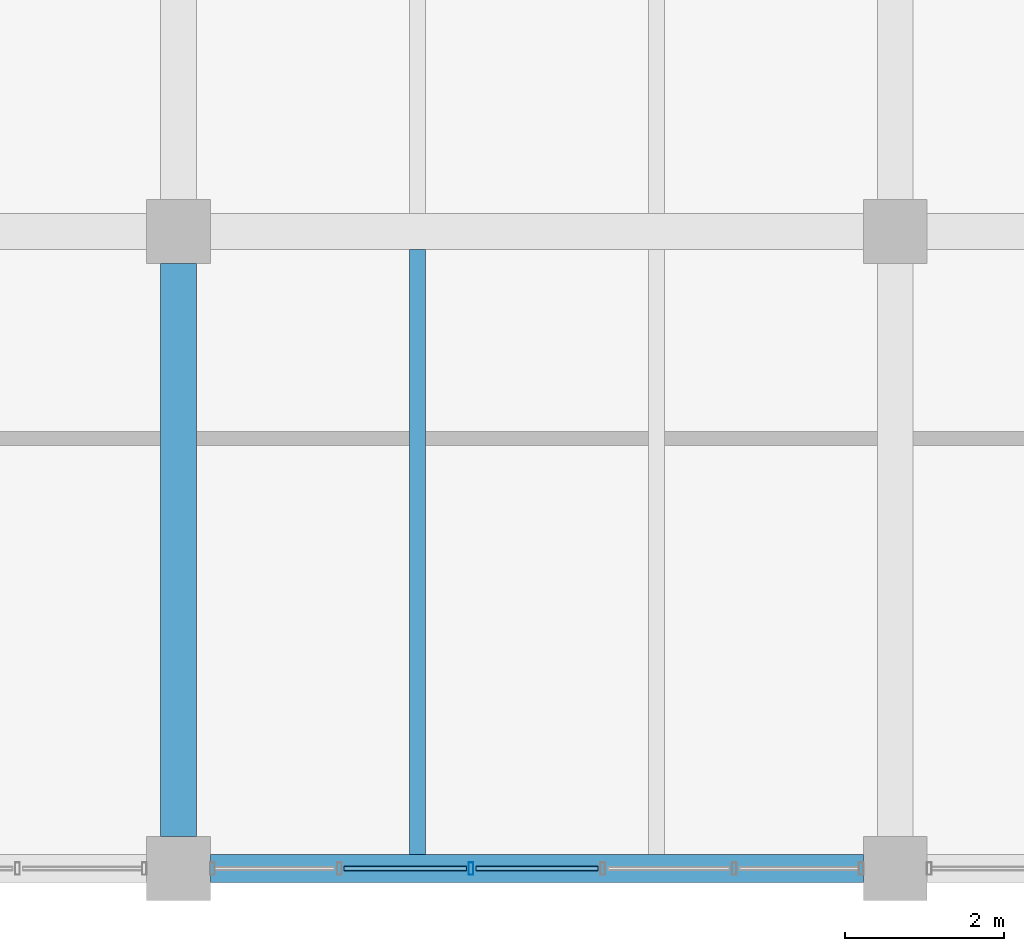
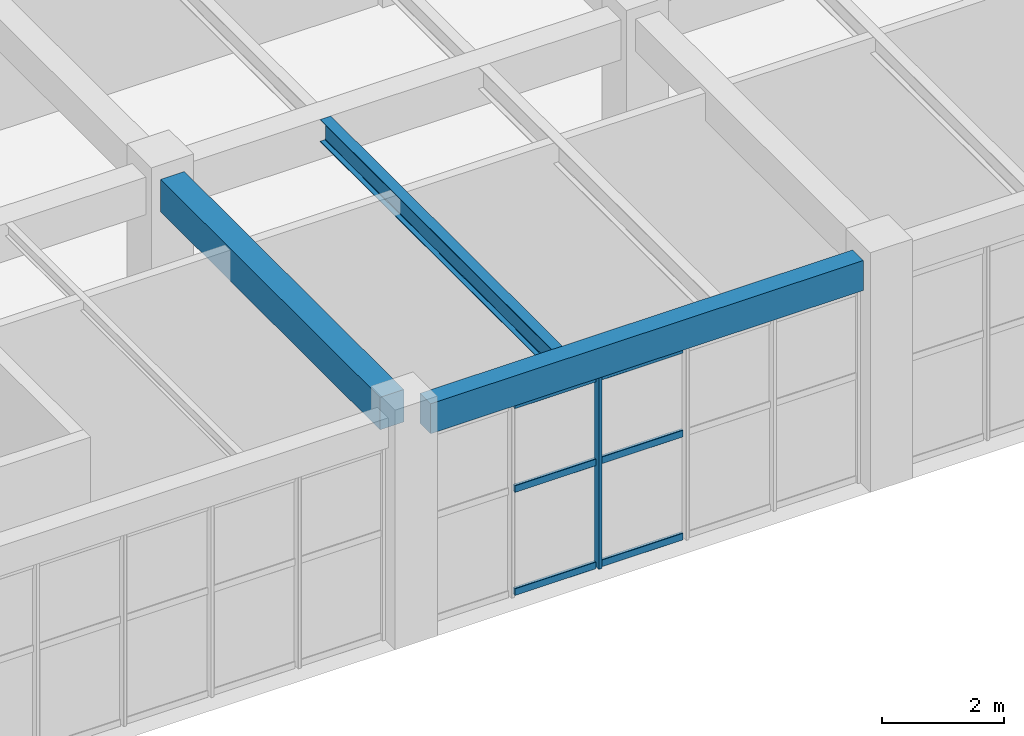
# One storey, part 16 of 178: 7 members, 3 beams, 1 element without a shape of its own.
"""IFC4 building model written with IfcOpenShell, lengths in metres."""

from ifc_helpers import new_model, si_unit, derived_unit, direction, frame, origin, origin_2d, place, context, subcontext, project, spatial, rectangle, hollow_rectangle, i_section, extrude, material, material_profile, profile_set, type_object, element, aggregate, save


model = new_model("IFC4")

# Units and contexts
model_context = context("Model", 3, precision=1e-05, world=origin(), true_north=direction((0.0, 1.0)))
body_context = subcontext(model_context, "Body", "Model", "MODEL_VIEW")
ifc_project = project(units=[si_unit("LENGTHUNIT", "METRE"), si_unit("AREAUNIT", "SQUARE_METRE"), si_unit("VOLUMEUNIT", "CUBIC_METRE"), si_unit("PLANEANGLEUNIT", "RADIAN"), si_unit("MASSUNIT", "GRAM", prefix="KILO"), derived_unit("THERMALTRANSMITTANCEUNIT", [(si_unit("MASSUNIT", "GRAM", prefix="KILO"), 1), (si_unit("TIMEUNIT", "SECOND"), -3), (si_unit("THERMODYNAMICTEMPERATUREUNIT", "KELVIN"), -1)])], contexts=[model_context])

# Site, building, storey
site_placement = place(None, origin())
site = spatial("IfcSite", under=ifc_project, at=site_placement, CompositionType="ELEMENT")
building_placement = place(site_placement, origin())
building = spatial("IfcBuilding", under=site, at=building_placement, Name="Zhenchuan Archway Interchange", CompositionType="ELEMENT")
storey_placement = place(building_placement, frame((0.0, 0.0, 5.39990234375)))
storey = spatial("IfcBuildingStorey", under=building, at=storey_placement, Name="L01", CompositionType="ELEMENT", Elevation=5.39990234375)

# Beam
ifc_material_1 = material(Name="Concrete C40", Category="concrete")
ifc_material_profile_1 = material_profile(ifc_material_1, rectangle(XDim=0.449951171875, YDim=0.64990234375, at=origin_2d()), Name="RC 450x650")
ifc_profile_set_1 = profile_set([ifc_material_profile_1], Name="Concrete C40")
beam_type_1 = type_object("IfcBeamType", Name="BM_RC_450x650", PredefinedType="BEAM", material=ifc_profile_set_1)
beam_1_placement = place(storey_placement, frame((27.0, 0.39990234375, 4.18505859375), z_axis=(0.0, 1.0, 0.0), x_axis=(-1.0, 0.0, 0.0)))
element("IfcBeam", 1, at=beam_1_placement, inside=storey, type_object=beam_type_1, Name="Beam 4:A-B (L01)", PredefinedType="BEAM", context=body_context, shape_type="SweptSolid", body=[
    extrude(rectangle(XDim=0.449951171875, YDim=0.64990234375, at=origin_2d()), origin(), (0.0, 0.0, 1.0), 7.2001953125),
])

# Curtain wall, members
ifc_material_2 = material(Name="Anodised Aluminium", Category="aluminium")
curtain_wall_type = type_object("IfcCurtainWallType", Name="CW_UNIT_4", PredefinedType="NOTDEFINED", material=ifc_material_2)
curtain_wall_placement = place(storey_placement, origin())
curtain_wall = element("IfcCurtainWall", 2, at=curtain_wall_placement, inside=storey, type_object=curtain_wall_type, Name="Unitised curtain wall CW:L01:083", PredefinedType="NOTDEFINED")
ifc_material_profile_2 = material_profile(ifc_material_2, hollow_rectangle(XDim=0.06005859375, YDim=0.159912109375, WallThickness=0.00390625, InnerFilletRadius=0.00390625, OuterFilletRadius=0.008056640625, at=origin_2d()), Name="ALU 160x60x4")
ifc_profile_set_2 = profile_set([ifc_material_profile_2], Name="Anodised Aluminium")
member_type_1 = type_object("IfcMemberType", Name="CW_MUL_150", PredefinedType="MULLION", material=ifc_profile_set_2)
member_1_placement = place(storey_placement, frame((30.673583984375, 0.0, 0.0), z_axis=(0.0, 0.0, 1.0), x_axis=(1.0, 0.0, 0.0)))
member_1 = element("IfcMember", 3, at=member_1_placement, type_object=member_type_1, Name="CW:L01:083 mullion 3", PredefinedType="MULLION", context=body_context, shape_type="SweptSolid", body=[
    extrude(hollow_rectangle(XDim=0.06005859375, YDim=0.159912109375, WallThickness=0.00390625, InnerFilletRadius=0.00390625, OuterFilletRadius=0.008056640625, at=origin_2d()), origin(), (0.0, 0.0, 1.0), 3.880126953125),
])
ifc_material_profile_3 = material_profile(ifc_material_2, hollow_rectangle(XDim=0.06005859375, YDim=0.139892578125, WallThickness=0.00341796875, InnerFilletRadius=0.00341796875, OuterFilletRadius=0.007080078125, at=origin_2d()), Name="ALU 140x60x3.5")
ifc_profile_set_3 = profile_set([ifc_material_profile_3], Name="Anodised Aluminium")
member_type_2 = type_object("IfcMemberType", Name="CW_TRN_140", PredefinedType="USERDEFINED", material=ifc_profile_set_3)
member_2_placement = place(storey_placement, frame((32.266357421875, 0.0, 0.06005859375), z_axis=(-1.0, 0.0, 0.0), x_axis=(0.0, -1.0, 0.0)))
member_2 = element("IfcMember", 4, at=member_2_placement, type_object=member_type_2, Name="CW:L01:083 transom 2-1", ObjectType="TRANSOM", PredefinedType="USERDEFINED", context=body_context, shape_type="SweptSolid", body=[
    extrude(hollow_rectangle(XDim=0.06005859375, YDim=0.139892578125, WallThickness=0.00341796875, InnerFilletRadius=0.00341796875, OuterFilletRadius=0.007080078125, at=origin_2d()), origin(), (0.0, 0.0, 1.0), 1.53271484375),
])
member_3_placement = place(storey_placement, frame((32.266357421875, 0.0, 2.123046875), z_axis=(-1.0, 0.0, 0.0), x_axis=(0.0, -1.0, 0.0)))
member_3 = element("IfcMember", 5, at=member_3_placement, type_object=member_type_2, Name="CW:L01:083 transom 2-2", ObjectType="TRANSOM", PredefinedType="USERDEFINED", context=body_context, shape_type="SweptSolid", body=[
    extrude(hollow_rectangle(XDim=0.06005859375, YDim=0.139892578125, WallThickness=0.00341796875, InnerFilletRadius=0.00341796875, OuterFilletRadius=0.007080078125, at=origin_2d()), origin(), (0.0, 0.0, 1.0), 1.53271484375),
])
member_4_placement = place(storey_placement, frame((32.266357421875, 0.0, 3.800048828125), z_axis=(-1.0, 0.0, 0.0), x_axis=(0.0, -1.0, 0.0)))
member_4 = element("IfcMember", 6, at=member_4_placement, type_object=member_type_2, Name="CW:L01:083 transom 2-3", ObjectType="TRANSOM", PredefinedType="USERDEFINED", context=body_context, shape_type="SweptSolid", body=[
    extrude(hollow_rectangle(XDim=0.06005859375, YDim=0.139892578125, WallThickness=0.00341796875, InnerFilletRadius=0.00341796875, OuterFilletRadius=0.007080078125, at=origin_2d()), origin(), (0.0, 0.0, 1.0), 1.53271484375),
])
member_5_placement = place(storey_placement, frame((30.613525390625, 0.0, 0.06005859375), z_axis=(-1.0, 0.0, 0.0), x_axis=(0.0, -1.0, 0.0)))
member_5 = element("IfcMember", 7, at=member_5_placement, type_object=member_type_2, Name="CW:L01:083 transom 3-1", ObjectType="TRANSOM", PredefinedType="USERDEFINED", context=body_context, shape_type="SweptSolid", body=[
    extrude(hollow_rectangle(XDim=0.06005859375, YDim=0.139892578125, WallThickness=0.00341796875, InnerFilletRadius=0.00341796875, OuterFilletRadius=0.007080078125, at=origin_2d()), origin(), (0.0, 0.0, 1.0), 1.53271484375),
])
member_6_placement = place(storey_placement, frame((30.613525390625, 0.0, 2.123046875), z_axis=(-1.0, 0.0, 0.0), x_axis=(0.0, -1.0, 0.0)))
member_6 = element("IfcMember", 8, at=member_6_placement, type_object=member_type_2, Name="CW:L01:083 transom 3-2", ObjectType="TRANSOM", PredefinedType="USERDEFINED", context=body_context, shape_type="SweptSolid", body=[
    extrude(hollow_rectangle(XDim=0.06005859375, YDim=0.139892578125, WallThickness=0.00341796875, InnerFilletRadius=0.00341796875, OuterFilletRadius=0.007080078125, at=origin_2d()), origin(), (0.0, 0.0, 1.0), 1.53271484375),
])
member_7_placement = place(storey_placement, frame((30.613525390625, 0.0, 3.800048828125), z_axis=(-1.0, 0.0, 0.0), x_axis=(0.0, -1.0, 0.0)))
member_7 = element("IfcMember", 9, at=member_7_placement, type_object=member_type_2, Name="CW:L01:083 transom 3-3", ObjectType="TRANSOM", PredefinedType="USERDEFINED", context=body_context, shape_type="SweptSolid", body=[
    extrude(hollow_rectangle(XDim=0.06005859375, YDim=0.139892578125, WallThickness=0.00341796875, InnerFilletRadius=0.00341796875, OuterFilletRadius=0.007080078125, at=origin_2d()), origin(), (0.0, 0.0, 1.0), 1.53271484375),
])
aggregate(curtain_wall, [member_1, member_2, member_3, member_4, member_5, member_6, member_7])

# Beams
ifc_material_3 = material(Name="Steel Q355", Category="steel")
ifc_material_profile_4 = material_profile(ifc_material_3, i_section(OverallWidth=0.199951171875, OverallDepth=0.449951171875, WebThickness=0.009033203125, FlangeThickness=0.013916015625, FilletRadius=0.01806640625, at=origin_2d()), Name="HN 450x200")
ifc_profile_set_4 = profile_set([ifc_material_profile_4], Name="Steel Q355")
beam_type_2 = type_object("IfcBeamType", Name="JST_STL_HN450", PredefinedType="JOIST", material=ifc_profile_set_4)
beam_2_placement = place(storey_placement, frame((30.0, 0.175048828125, 4.28515625), z_axis=(0.0, 1.0, 0.0), x_axis=(-1.0, 0.0, 0.0)))
element("IfcBeam", 10, at=beam_2_placement, inside=storey, type_object=beam_type_2, Name="Secondary joist 4-5/A-B #1 (L01)", PredefinedType="JOIST", context=body_context, shape_type="SweptSolid", body=[
    extrude(i_section(OverallWidth=0.199951171875, OverallDepth=0.449951171875, WebThickness=0.009033203125, FlangeThickness=0.013916015625, FilletRadius=0.01806640625, at=origin_2d()), origin(), (0.0, 0.0, 1.0), 7.599853515625),
])
ifc_material_profile_5 = material_profile(ifc_material_1, rectangle(XDim=0.35009765625, YDim=0.60009765625, at=origin_2d()), Name="RC 350x600")
ifc_profile_set_5 = profile_set([ifc_material_profile_5], Name="Concrete C40")
beam_type_3 = type_object("IfcBeamType", Name="SP_RC_350x600", PredefinedType="SPANDREL", material=ifc_profile_set_5)
beam_3_placement = place(storey_placement, frame((27.39990234375, 0.0, 4.210205078125), z_axis=(1.0, 0.0, 0.0), x_axis=(0.0, 1.0, 0.0)))
element("IfcBeam", 11, at=beam_3_placement, inside=storey, type_object=beam_type_3, Name="Beam A:4-5 (L01)", PredefinedType="SPANDREL", context=body_context, shape_type="SweptSolid", body=[
    extrude(rectangle(XDim=0.35009765625, YDim=0.60009765625, at=origin_2d()), origin(), (0.0, 0.0, 1.0), 8.2001953125),
])

save(model, "model.ifc")
